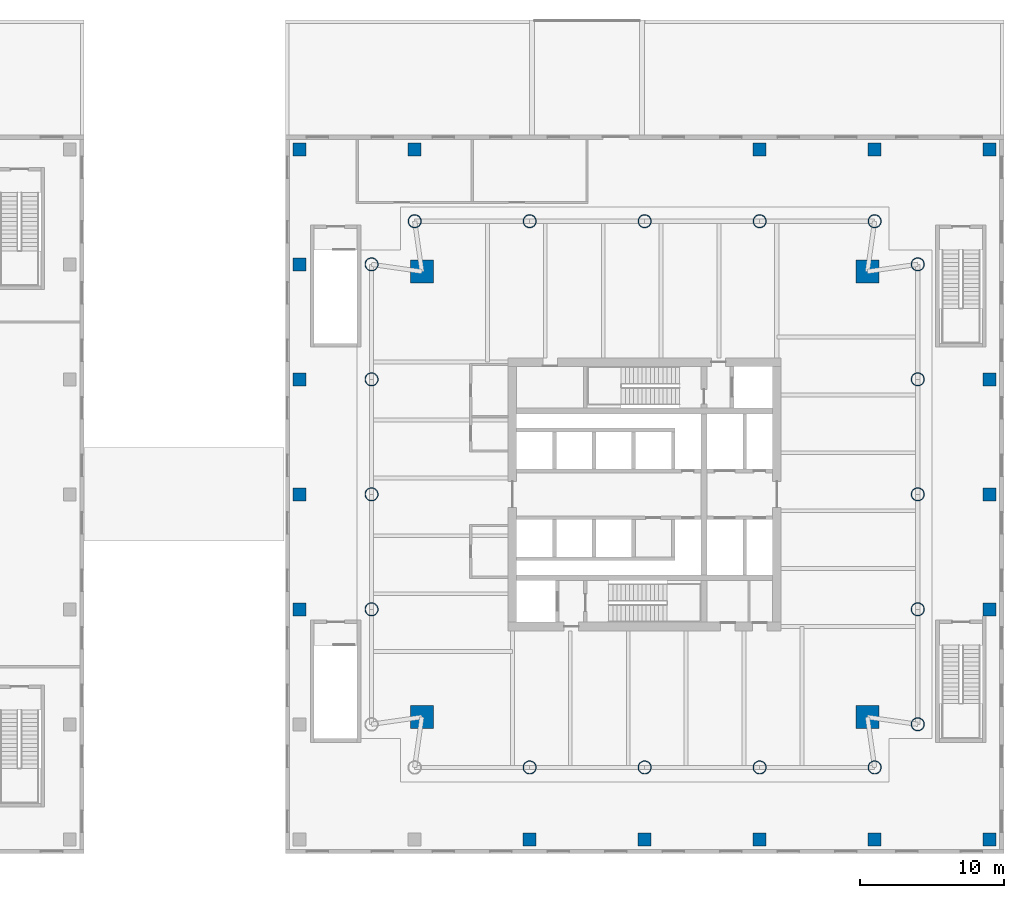
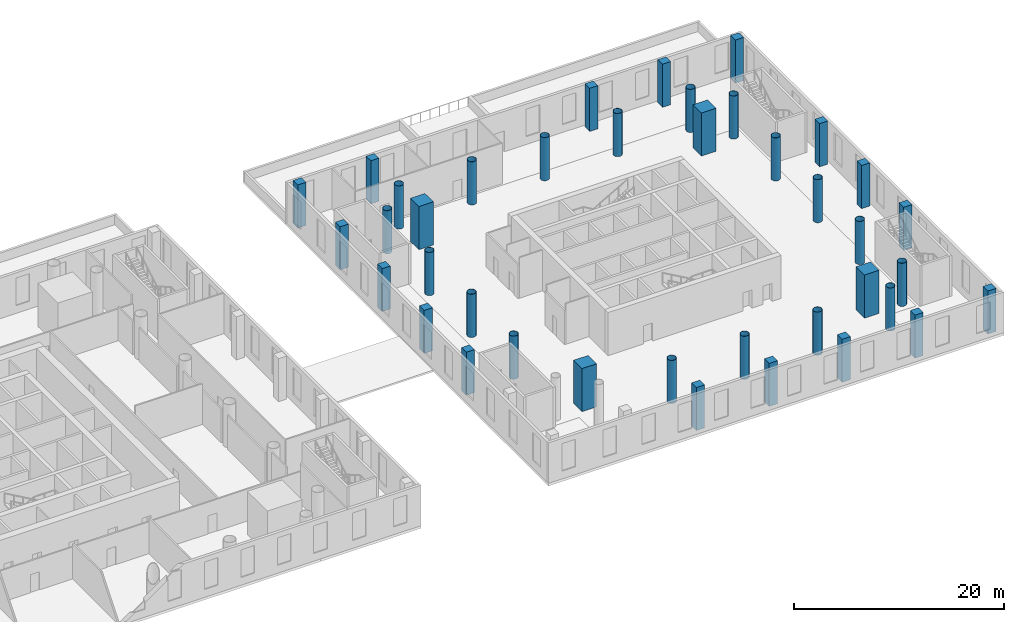
# One storey, part 2 of 16: 39 columns.
"""IFC4 building model written with IfcOpenShell, lengths in metres."""

from ifc_helpers import new_model, si_unit, direction, frame, origin, origin_2d, place, context, subcontext, project, spatial, rectangle, hollow_circle, extrude, material, material_profile, profile_set, type_object, element, save


model = new_model("IFC4")

# Units and contexts
model_context = context("Model", 3, precision=1e-05, world=origin(), true_north=direction((0.0, 1.0)))
body_context = subcontext(model_context, "Body", "Model", "MODEL_VIEW")
ifc_project = project(units=[si_unit("LENGTHUNIT", "METRE"), si_unit("AREAUNIT", "SQUARE_METRE"), si_unit("VOLUMEUNIT", "CUBIC_METRE"), si_unit("PLANEANGLEUNIT", "RADIAN"), si_unit("MASSUNIT", "GRAM", prefix="KILO")], contexts=[model_context])

# Site, building, storey
site_placement = place(None, origin())
site = spatial("IfcSite", under=ifc_project, at=site_placement, CompositionType="ELEMENT")
building_placement = place(site_placement, origin())
building = spatial("IfcBuilding", under=site, at=building_placement, Name="Ostroluk Exchange", CompositionType="ELEMENT")
storey_placement = place(building_placement, frame((0.0, 0.0, 16.0)))
storey = spatial("IfcBuildingStorey", under=building, at=storey_placement, Name="L03", CompositionType="ELEMENT", Elevation=16.0)

# Columns
ifc_material_1 = material(Name="Concrete C50/60", Category="concrete")
ifc_material_profile_1 = material_profile(ifc_material_1, rectangle(XDim=1.60009765625, YDim=1.60009765625, at=origin_2d()), Name="RC 1600x1600")
ifc_profile_set_1 = profile_set([ifc_material_profile_1], Name="Concrete C50/60")
column_type_1 = type_object("IfcColumnType", Name="Mega column RC 1600x1600", PredefinedType="COLUMN", material=ifc_profile_set_1)
for number, where, z_axis, x_axis, name in (
    (1, (132.5, 61.5, 0.0), (0.0, 0.0, 1.0), (1.0, 0.0, 0.0), "T2 mega column NE"),
    (2, (101.5, 61.5, 0.0), (0.0, 0.0, 1.0), (1.0, 0.0, 0.0), "T2 mega column NW"),
    (3, (101.5, 30.5, 0.0), (0.0, 0.0, 1.0), (1.0, 0.0, 0.0), "T2 mega column SW"),
    (4, (132.5, 30.5, 0.0), (0.0, 0.0, 1.0), (1.0, 0.0, 0.0), "T2 mega column SE"),
):
    element("IfcColumn", number, at=place(storey_placement, frame(where, z_axis=z_axis, x_axis=x_axis)), inside=storey, type_object=column_type_1, Name=name, PredefinedType="COLUMN", context=body_context, shape_type="SweptSolid", body=[
        extrude(rectangle(XDim=1.60009765625, YDim=1.60009765625, at=origin_2d()), origin(), (0.0, 0.0, 1.0), 5.0),
    ])
ifc_material_2 = material(Name="Steel S460", Category="steel")
ifc_material_profile_2 = material_profile(ifc_material_2, hollow_circle(Radius=0.45703125, WallThickness=0.030029296875, at=origin_2d()), Name="CHS 914x30")
ifc_profile_set_2 = profile_set([ifc_material_profile_2], Name="Steel S460")
column_type_2 = type_object("IfcColumnType", Name="Perimeter column CHS 914x30", PredefinedType="COLUMN", material=ifc_profile_set_2)
for number, where, z_axis, x_axis, name in (
    (5, (136.0, 30.0, 0.0), (0.0, 0.0, 1.0), (1.0, 0.0, 0.0), "T2 east face column E0"),
    (6, (136.0, 62.0, 0.0), (0.0, 0.0, 1.0), (1.0, 0.0, 0.0), "T2 east face column E1"),
    (7, (136.0, 38.0, 0.0), (0.0, 0.0, 1.0), (1.0, 0.0, 0.0), "T2 east face column I1"),
    (8, (136.0, 46.0, 0.0), (0.0, 0.0, 1.0), (1.0, 0.0, 0.0), "T2 east face column I2"),
    (9, (136.0, 54.0, 0.0), (0.0, 0.0, 1.0), (1.0, 0.0, 0.0), "T2 east face column I3"),
    (10, (133.0, 65.0, 0.0), (0.0, 0.0, 1.0), (1.0, 0.0, 0.0), "T2 north face column E0"),
    (11, (101.0, 65.0, 0.0), (0.0, 0.0, 1.0), (1.0, 0.0, 0.0), "T2 north face column E1"),
    (12, (125.0, 65.0, 0.0), (0.0, 0.0, 1.0), (1.0, 0.0, 0.0), "T2 north face column I1"),
    (13, (117.0, 65.0, 0.0), (0.0, 0.0, 1.0), (1.0, 0.0, 0.0), "T2 north face column I2"),
    (14, (109.0, 65.0, 0.0), (0.0, 0.0, 1.0), (1.0, 0.0, 0.0), "T2 north face column I3"),
    (15, (98.0, 62.0, 0.0), (0.0, 0.0, 1.0), (1.0, 0.0, 0.0), "T2 west face column E0"),
    (16, (98.0, 54.0, 0.0), (0.0, 0.0, 1.0), (1.0, 0.0, 0.0), "T2 west face column I1"),
    (17, (98.0, 46.0, 0.0), (0.0, 0.0, 1.0), (1.0, 0.0, 0.0), "T2 west face column I2"),
    (18, (98.0, 38.0, 0.0), (0.0, 0.0, 1.0), (1.0, 0.0, 0.0), "T2 west face column I3"),
    (19, (133.0, 27.0, 0.0), (0.0, 0.0, 1.0), (1.0, 0.0, 0.0), "T2 south face column E1"),
    (20, (109.0, 27.0, 0.0), (0.0, 0.0, 1.0), (1.0, 0.0, 0.0), "T2 south face column I1"),
    (21, (117.0, 27.0, 0.0), (0.0, 0.0, 1.0), (1.0, 0.0, 0.0), "T2 south face column I2"),
    (22, (125.0, 27.0, 0.0), (0.0, 0.0, 1.0), (1.0, 0.0, 0.0), "T2 south face column I3"),
):
    element("IfcColumn", number, at=place(storey_placement, frame(where, z_axis=z_axis, x_axis=x_axis)), inside=storey, type_object=column_type_2, Name=name, PredefinedType="COLUMN", context=body_context, shape_type="SweptSolid", body=[
        extrude(hollow_circle(Radius=0.45703125, WallThickness=0.030029296875, at=origin_2d()), origin(), (0.0, 0.0, 1.0), 5.0),
    ])
ifc_material_3 = material(Name="Concrete C50/60", Category="concrete")
ifc_material_profile_3 = material_profile(ifc_material_3, rectangle(XDim=0.89990234375, YDim=0.89990234375, at=origin_2d()), Name="RC 900x900")
ifc_profile_set_3 = profile_set([ifc_material_profile_3], Name="Concrete C50/60")
column_type_3 = type_object("IfcColumnType", Name="Podium column RC 900x900", PredefinedType="COLUMN", material=ifc_profile_set_3)
for number, where, z_axis, x_axis, name in (
    (23, (93.0, 38.0, 0.0), (0.0, 0.0, 1.0), (1.0, 0.0, 0.0), "Podium column 93/38"),
    (24, (93.0, 46.0, 0.0), (0.0, 0.0, 1.0), (1.0, 0.0, 0.0), "Podium column 93/46"),
    (25, (93.0, 54.0, 0.0), (0.0, 0.0, 1.0), (1.0, 0.0, 0.0), "Podium column 93/54"),
    (26, (93.0, 62.0, 0.0), (0.0, 0.0, 1.0), (1.0, 0.0, 0.0), "Podium column 93/62"),
    (27, (93.0, 70.0, 0.0), (0.0, 0.0, 1.0), (1.0, 0.0, 0.0), "Podium column 93/70"),
    (28, (101.0, 70.0, 0.0), (0.0, 0.0, 1.0), (1.0, 0.0, 0.0), "Podium column 101/70"),
    (29, (109.0, 22.0, 0.0), (0.0, 0.0, 1.0), (1.0, 0.0, 0.0), "Podium column 109/22"),
    (30, (117.0, 22.0, 0.0), (0.0, 0.0, 1.0), (1.0, 0.0, 0.0), "Podium column 117/22"),
    (31, (125.0, 22.0, 0.0), (0.0, 0.0, 1.0), (1.0, 0.0, 0.0), "Podium column 125/22"),
    (32, (125.0, 70.0, 0.0), (0.0, 0.0, 1.0), (1.0, 0.0, 0.0), "Podium column 125/70"),
    (33, (133.0, 22.0, 0.0), (0.0, 0.0, 1.0), (1.0, 0.0, 0.0), "Podium column 133/22"),
    (34, (133.0, 70.0, 0.0), (0.0, 0.0, 1.0), (1.0, 0.0, 0.0), "Podium column 133/70"),
    (35, (141.0, 22.0, 0.0), (0.0, 0.0, 1.0), (1.0, 0.0, 0.0), "Podium column 141/22"),
    (36, (141.0, 38.0, 0.0), (0.0, 0.0, 1.0), (1.0, 0.0, 0.0), "Podium column 141/38"),
    (37, (141.0, 46.0, 0.0), (0.0, 0.0, 1.0), (1.0, 0.0, 0.0), "Podium column 141/46"),
    (38, (141.0, 54.0, 0.0), (0.0, 0.0, 1.0), (1.0, 0.0, 0.0), "Podium column 141/54"),
    (39, (141.0, 70.0, 0.0), (0.0, 0.0, 1.0), (1.0, 0.0, 0.0), "Podium column 141/70"),
):
    element("IfcColumn", number, at=place(storey_placement, frame(where, z_axis=z_axis, x_axis=x_axis)), inside=storey, type_object=column_type_3, Name=name, PredefinedType="COLUMN", context=body_context, shape_type="SweptSolid", body=[
        extrude(rectangle(XDim=0.89990234375, YDim=0.89990234375, at=origin_2d()), origin(), (0.0, 0.0, 1.0), 5.0),
    ])

save(model, "model.ifc")
